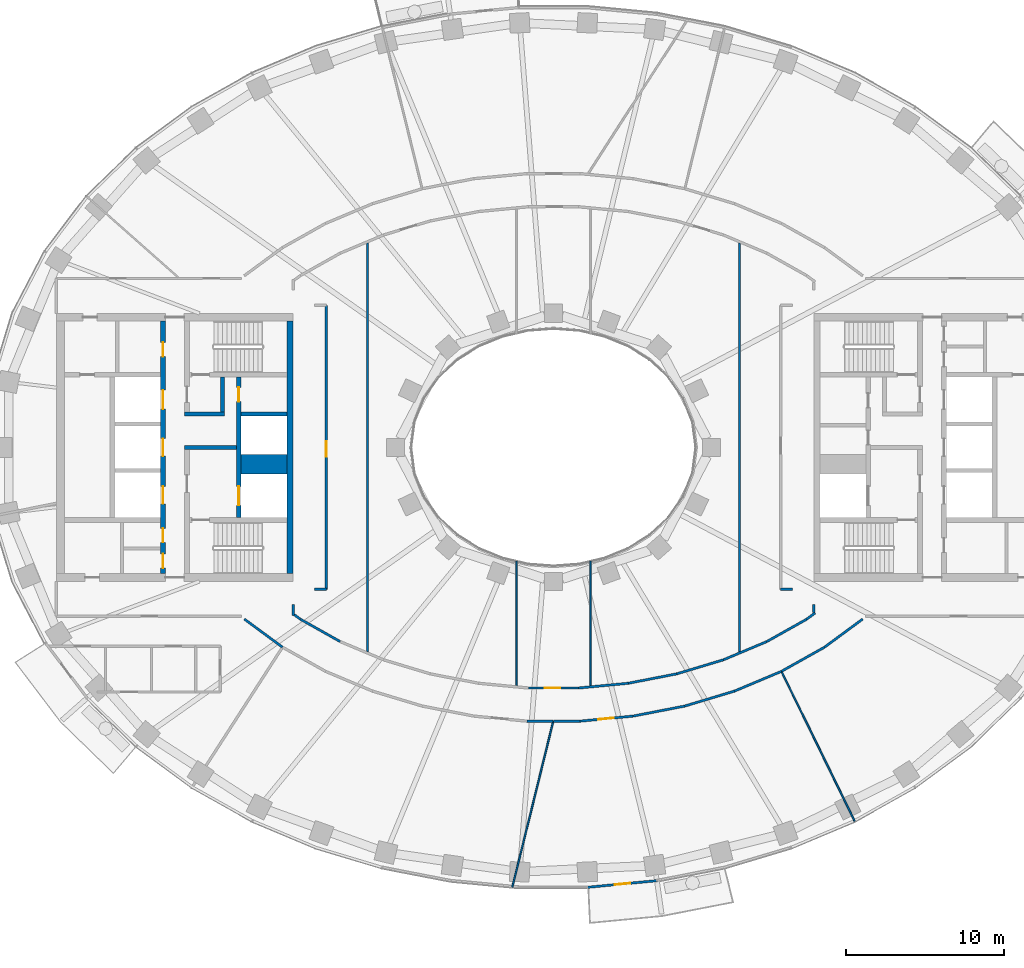
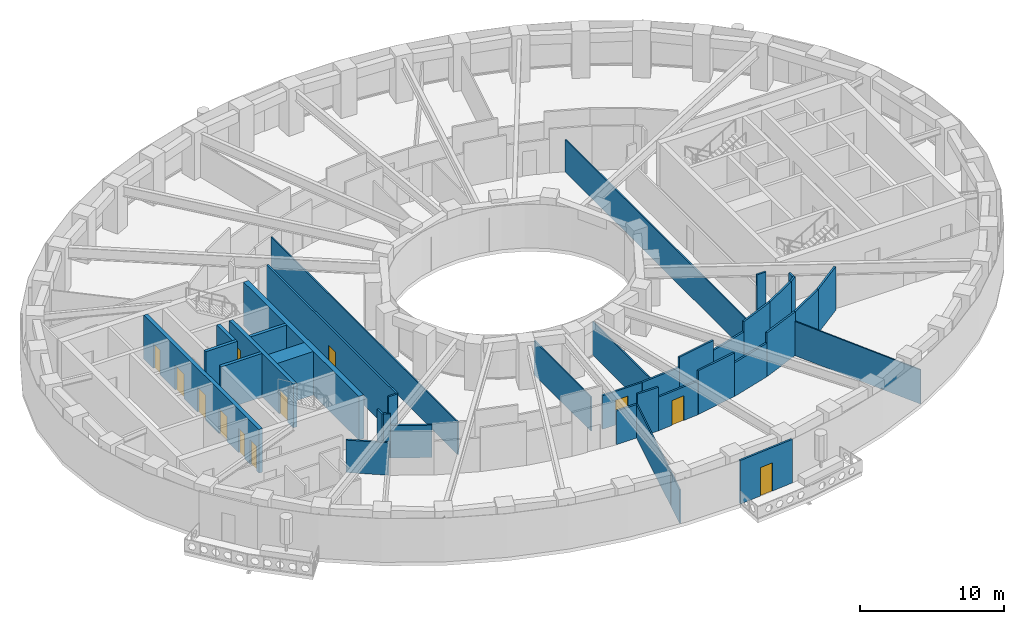
# One storey, part 4 of 16: 39 walls, 12 doors, 12 openings.
"""IFC4 building model written with IfcOpenShell, lengths in metres."""

from ifc_helpers import new_model, si_unit, direction, frame, frame_2d, origin, place, context, subcontext, project, spatial, rectangle, extrude, material, layer, layer_set, type_object, element, fill, save


model = new_model("IFC4")

# Units and contexts
model_context = context("Model", 3, precision=1e-05, world=origin(), true_north=direction((0.0, 1.0)))
body_context = subcontext(model_context, "Body", "Model", "MODEL_VIEW")
ifc_project = project(units=[si_unit("LENGTHUNIT", "METRE"), si_unit("AREAUNIT", "SQUARE_METRE"), si_unit("VOLUMEUNIT", "CUBIC_METRE"), si_unit("PLANEANGLEUNIT", "RADIAN"), si_unit("MASSUNIT", "GRAM", prefix="KILO")], contexts=[model_context])

# Site, building, storey
site_placement = place(None, origin())
site = spatial("IfcSite", under=ifc_project, at=site_placement, CompositionType="ELEMENT")
building_placement = place(site_placement, origin())
building = spatial("IfcBuilding", under=site, at=building_placement, Name="Noorbagh Ring Tower", CompositionType="ELEMENT")
storey_placement = place(building_placement, frame((0.0, 0.0, 132.0)))
storey = spatial("IfcBuildingStorey", under=building, at=storey_placement, Name="L30", CompositionType="ELEMENT", Elevation=132.0)

# Walls
ifc_material_1 = material(Name="Concrete C70/85", Category="concrete")
ifc_layer_1 = layer(ifc_material_1, 1.25)
ifc_layer_set_1 = layer_set([ifc_layer_1], Name="Concrete C70/85")
wall_type_1 = type_object("IfcWallType", Name="CORE-WALL-1250-C70-85-EI120", PredefinedType="SHEAR", material=ifc_layer_set_1)
wall_1_placement = place(storey_placement, frame((-16.89990234375, -1.074951171875, 0.0), z_axis=(0.0, 0.0, 1.0), x_axis=(-1.0, 0.0, 0.0)))
element("IfcWall", 1, at=wall_1_placement, inside=storey, type_object=wall_type_1, Name="Core wall W", PredefinedType="SHEAR", context=body_context, shape_type="SweptSolid", body=[
    extrude(rectangle(XDim=2.900146484375, YDim=1.25, at=frame_2d((1.4501953125, 0.0))), origin(), (0.0, 0.0, 1.0), 3.699951171875),
])
ifc_material_2 = material(Name="Concrete C70/85", Category="concrete")
ifc_layer_2 = layer(ifc_material_2, 0.25)
ifc_layer_set_2 = layer_set([ifc_layer_2], Name="Concrete C70/85")
wall_type_2 = type_object("IfcWallType", Name="CORE-WALL-250-C70-85-EI120", PredefinedType="SHEAR", material=ifc_layer_set_2)
wall_2_placement = place(storey_placement, frame((-16.89990234375, 2.125, 0.0), z_axis=(0.0, 0.0, 1.0), x_axis=(-1.0, 0.0, 0.0)))
element("IfcWall", 2, at=wall_2_placement, inside=storey, type_object=wall_type_2, Name="Core wall W", PredefinedType="SHEAR", context=body_context, shape_type="SweptSolid", body=[
    extrude(rectangle(XDim=2.900146484375, YDim=0.25, at=frame_2d((1.4501953125, 0.0))), origin(), (0.0, 0.0, 1.0), 3.699951171875),
])
ifc_material_3 = material(Name="Concrete C70/85", Category="concrete")
ifc_layer_3 = layer(ifc_material_3, 0.25)
ifc_layer_set_3 = layer_set([ifc_layer_3], Name="Concrete C70/85")
wall_type_3 = type_object("IfcWallType", Name="CORE-WALL-250-C70-85-EI240", PredefinedType="SHEAR", material=ifc_layer_set_3)
wall_3_placement = place(storey_placement, frame((-20.10009765625, 0.0, 0.0), z_axis=(0.0, 0.0, 1.0), x_axis=(-1.0, 0.0, 0.0)))
element("IfcWall", 3, at=wall_3_placement, inside=storey, type_object=wall_type_3, Name="Core wall W", PredefinedType="SHEAR", context=body_context, shape_type="SweptSolid", body=[
    extrude(rectangle(XDim=3.27978515625, YDim=0.25, at=frame_2d((1.639892578125, 0.0))), origin(), (0.0, 0.0, 1.0), 3.699951171875),
])
wall_4_placement = place(storey_placement, frame((-20.85009765625, 2.125, 0.0), z_axis=(0.0, 0.0, 1.0), x_axis=(-1.0, 0.0, 0.0)))
element("IfcWall", 4, at=wall_4_placement, inside=storey, type_object=wall_type_3, Name="Core wall W", PredefinedType="SHEAR", context=body_context, shape_type="SweptSolid", body=[
    extrude(rectangle(XDim=2.52978515625, YDim=0.25, at=frame_2d((1.264892578125, 0.0))), origin(), (0.0, 0.0, 1.0), 3.699951171875),
])
wall_5_placement = place(storey_placement, frame((-20.97509765625, 2.25, 0.0), z_axis=(0.0, 0.0, 1.0), x_axis=(0.0, 1.0, 0.0)))
element("IfcWall", 5, at=wall_5_placement, inside=storey, type_object=wall_type_3, Name="Core wall W", PredefinedType="SHEAR", context=body_context, shape_type="SweptSolid", body=[
    extrude(rectangle(XDim=2.199951171875, YDim=0.25, at=frame_2d((1.10009765625, 0.0))), origin(), (0.0, 0.0, 1.0), 3.699951171875),
])

# Wall, openings, doors
ifc_material_4 = material(Name="Concrete C70/85", Category="concrete")
ifc_layer_4 = layer(ifc_material_4, 0.300048828125)
ifc_layer_set_4 = layer_set([ifc_layer_4], Name="Concrete C70/85")
wall_type_4 = type_object("IfcWallType", Name="CORE-WALL-300-C70-85-EI120", PredefinedType="SHEAR", material=ifc_layer_set_4)
wall_6_placement = place(storey_placement, frame((-19.949951171875, -4.449951171875, 0.0), z_axis=(0.0, 0.0, 1.0), x_axis=(0.0, 1.0, 0.0)))
wall_6 = element("IfcWall", 6, at=wall_6_placement, inside=storey, type_object=wall_type_4, Name="Core wall W", PredefinedType="SHEAR", context=body_context, shape_type="SweptSolid", body=[
    extrude(rectangle(XDim=8.89990234375, YDim=0.300048828125, at=frame_2d((4.449951171875, 0.0))), origin(), (0.0, 0.0, 1.0), 3.699951171875),
])
opening_1_placement = place(wall_6_placement, frame((0.77490234375, 0.0, 0.0)))
opening_1 = element("IfcOpeningElement", 7, at=opening_1_placement, cuts=wall_6, Name="Opening L30-CW01", PredefinedType="OPENING", context=body_context, shape_type="SweptSolid", body=[
    extrude(rectangle(XDim=1.199951171875, YDim=2.10009765625, at=frame_2d((0.60009765625, 1.050048828125))), frame((0.0, 0.16015625, 0.0), z_axis=(0.0, -1.0, 0.0), x_axis=(1.0, 0.0, 0.0)), (0.0, 0.0, 1.0), 0.320068359375),
])
opening_2_placement = place(wall_6_placement, frame((7.35009765625, 0.0, 0.0)))
opening_2 = element("IfcOpeningElement", 8, at=opening_2_placement, cuts=wall_6, Name="Opening L30-CW11", PredefinedType="OPENING", context=body_context, shape_type="SweptSolid", body=[
    extrude(rectangle(XDim=0.89990234375, YDim=2.10009765625, at=frame_2d((0.449951171875, 1.050048828125))), frame((0.0, 0.16015625, 0.0), z_axis=(0.0, -1.0, 0.0), x_axis=(1.0, 0.0, 0.0)), (0.0, 0.0, 1.0), 0.320068359375),
])
ifc_material_5 = material(Name="Steel door leaf", Category="steel")
door_type_1 = type_object("IfcDoorType", Name="CORE-DOOR-DROOM", OperationType="SINGLE_SWING_LEFT", PredefinedType="DOOR", material=ifc_material_5)
door_1_placement = place(opening_2_placement, origin())
door_1 = element("IfcDoor", 9, at=door_1_placement, inside=storey, type_object=door_type_1, Name="Core room door L30-CW11", OperationType="SINGLE_SWING_LEFT", OverallHeight=2.10009765625, OverallWidth=0.89990234375, PredefinedType="DOOR", context=body_context, shape_type="SweptSolid", body=[
    extrude(rectangle(XDim=0.89990234375, YDim=2.10009765625, at=frame_2d((0.449951171875, 1.050048828125))), frame((0.0, 0.02490234375, 0.0), z_axis=(0.0, -1.0, 0.0), x_axis=(1.0, 0.0, 0.0)), (0.0, 0.0, 1.0), 0.050048828125),
])
fill(opening_2, door_1)
ifc_material_6 = material(Name="Steel door leaf", Category="steel")
door_type_2 = type_object("IfcDoorType", Name="CORE-DOOR-LDW", OperationType="DOUBLE_DOOR_SLIDING", PredefinedType="DOOR", material=ifc_material_6)
door_2_placement = place(opening_1_placement, origin())
door_2 = element("IfcDoor", 10, at=door_2_placement, inside=storey, type_object=door_type_2, Name="Landing door FF1 L30-CW01", OperationType="DOUBLE_DOOR_SLIDING", OverallHeight=2.10009765625, OverallWidth=1.199951171875, PredefinedType="DOOR", context=body_context, shape_type="SweptSolid", body=[
    extrude(rectangle(XDim=1.199951171875, YDim=2.10009765625, at=frame_2d((0.60009765625, 1.050048828125))), frame((0.0, 0.02490234375, 0.0), z_axis=(0.0, -1.0, 0.0), x_axis=(1.0, 0.0, 0.0)), (0.0, 0.0, 1.0), 0.050048828125),
])
fill(opening_1, door_2)

wall_7_placement = place(storey_placement, frame((-24.75, -8.0, 0.0), z_axis=(0.0, 0.0, 1.0), x_axis=(0.0, 1.0, 0.0)))
wall_7 = element("IfcWall", 11, at=wall_7_placement, inside=storey, type_object=wall_type_4, Name="Core wall W", PredefinedType="SHEAR", context=body_context, shape_type="SweptSolid", body=[
    extrude(rectangle(XDim=16.0, YDim=0.300048828125, at=frame_2d((8.0, 0.0))), origin(), (0.0, 0.0, 1.0), 3.699951171875),
])
opening_3_placement = place(wall_7_placement, frame((4.425048828125, 0.0, 0.0)))
opening_3 = element("IfcOpeningElement", 12, at=opening_3_placement, cuts=wall_7, Name="Opening L30-CW02", PredefinedType="OPENING", context=body_context, shape_type="SweptSolid", body=[
    extrude(rectangle(XDim=1.10009765625, YDim=2.10009765625, at=frame_2d((0.550048828125, 1.050048828125))), frame((0.0, 0.16015625, 0.0), z_axis=(0.0, -1.0, 0.0), x_axis=(1.0, 0.0, 0.0)), (0.0, 0.0, 1.0), 0.320068359375),
])
opening_4_placement = place(wall_7_placement, frame((7.449951171875, 0.0, 0.0)))
opening_4 = element("IfcOpeningElement", 13, at=opening_4_placement, cuts=wall_7, Name="Opening L30-CW03", PredefinedType="OPENING", context=body_context, shape_type="SweptSolid", body=[
    extrude(rectangle(XDim=1.10009765625, YDim=2.10009765625, at=frame_2d((0.550048828125, 1.050048828125))), frame((0.0, 0.16015625, 0.0), z_axis=(0.0, -1.0, 0.0), x_axis=(1.0, 0.0, 0.0)), (0.0, 0.0, 1.0), 0.320068359375),
])
opening_5_placement = place(wall_7_placement, frame((10.425048828125, 0.0, 0.0)))
opening_5 = element("IfcOpeningElement", 14, at=opening_5_placement, cuts=wall_7, Name="Opening L30-CW04", PredefinedType="OPENING", context=body_context, shape_type="SweptSolid", body=[
    extrude(rectangle(XDim=1.199951171875, YDim=2.10009765625, at=frame_2d((0.60009765625, 1.050048828125))), frame((0.0, 0.16015625, 0.0), z_axis=(0.0, -1.0, 0.0), x_axis=(1.0, 0.0, 0.0)), (0.0, 0.0, 1.0), 0.320068359375),
])
opening_6_placement = place(wall_7_placement, frame((13.75, 0.0, 0.0)))
opening_6 = element("IfcOpeningElement", 15, at=opening_6_placement, cuts=wall_7, Name="Opening L30-CW12", PredefinedType="OPENING", context=body_context, shape_type="SweptSolid", body=[
    extrude(rectangle(XDim=0.89990234375, YDim=2.10009765625, at=frame_2d((0.449951171875, 1.050048828125))), frame((0.0, 0.16015625, 0.0), z_axis=(0.0, -1.0, 0.0), x_axis=(1.0, 0.0, 0.0)), (0.0, 0.0, 1.0), 0.320068359375),
])
opening_7_placement = place(wall_7_placement, frame((1.97509765625, 0.0, 0.0)))
opening_7 = element("IfcOpeningElement", 16, at=opening_7_placement, cuts=wall_7, Name="Opening L30-CW14", PredefinedType="OPENING", context=body_context, shape_type="SweptSolid", body=[
    extrude(rectangle(XDim=0.89990234375, YDim=2.10009765625, at=frame_2d((0.449951171875, 1.050048828125))), frame((0.0, 0.16015625, 0.0), z_axis=(0.0, -1.0, 0.0), x_axis=(1.0, 0.0, 0.0)), (0.0, 0.0, 1.0), 0.320068359375),
])
opening_8_placement = place(wall_7_placement, frame((0.35009765625, 0.0, 0.0)))
opening_8 = element("IfcOpeningElement", 17, at=opening_8_placement, cuts=wall_7, Name="Opening L30-CW15", PredefinedType="OPENING", context=body_context, shape_type="SweptSolid", body=[
    extrude(rectangle(XDim=0.89990234375, YDim=2.10009765625, at=frame_2d((0.449951171875, 1.050048828125))), frame((0.0, 0.16015625, 0.0), z_axis=(0.0, -1.0, 0.0), x_axis=(1.0, 0.0, 0.0)), (0.0, 0.0, 1.0), 0.320068359375),
])
door_3_placement = place(opening_6_placement, origin())
door_3 = element("IfcDoor", 18, at=door_3_placement, inside=storey, type_object=door_type_1, Name="Core room door L30-CW12", OperationType="SINGLE_SWING_RIGHT", OverallHeight=2.10009765625, OverallWidth=0.89990234375, PredefinedType="DOOR", context=body_context, shape_type="SweptSolid", body=[
    extrude(rectangle(XDim=0.89990234375, YDim=2.10009765625, at=frame_2d((0.449951171875, 1.050048828125))), frame((0.0, 0.02490234375, 0.0), z_axis=(0.0, -1.0, 0.0), x_axis=(1.0, 0.0, 0.0)), (0.0, 0.0, 1.0), 0.050048828125),
])
fill(opening_6, door_3)
door_4_placement = place(opening_7_placement, origin())
door_4 = element("IfcDoor", 19, at=door_4_placement, inside=storey, type_object=door_type_1, Name="Core room door L30-CW14", OperationType="SINGLE_SWING_RIGHT", OverallHeight=2.10009765625, OverallWidth=0.89990234375, PredefinedType="DOOR", context=body_context, shape_type="SweptSolid", body=[
    extrude(rectangle(XDim=0.89990234375, YDim=2.10009765625, at=frame_2d((0.449951171875, 1.050048828125))), frame((0.0, 0.02490234375, 0.0), z_axis=(0.0, -1.0, 0.0), x_axis=(1.0, 0.0, 0.0)), (0.0, 0.0, 1.0), 0.050048828125),
])
fill(opening_7, door_4)
door_5_placement = place(opening_8_placement, origin())
door_5 = element("IfcDoor", 20, at=door_5_placement, inside=storey, type_object=door_type_1, Name="Core room door L30-CW15", OperationType="SINGLE_SWING_LEFT", OverallHeight=2.10009765625, OverallWidth=0.89990234375, PredefinedType="DOOR", context=body_context, shape_type="SweptSolid", body=[
    extrude(rectangle(XDim=0.89990234375, YDim=2.10009765625, at=frame_2d((0.449951171875, 1.050048828125))), frame((0.0, 0.02490234375, 0.0), z_axis=(0.0, -1.0, 0.0), x_axis=(1.0, 0.0, 0.0)), (0.0, 0.0, 1.0), 0.050048828125),
])
fill(opening_8, door_5)
ifc_material_7 = material(Name="Steel door leaf", Category="steel")
door_type_3 = type_object("IfcDoorType", Name="CORE-DOOR-LD", OperationType="DOUBLE_DOOR_SLIDING", PredefinedType="DOOR", material=ifc_material_7)
door_6_placement = place(opening_3_placement, origin())
door_6 = element("IfcDoor", 21, at=door_6_placement, inside=storey, type_object=door_type_3, Name="Landing door LR1 L30-CW02", OperationType="DOUBLE_DOOR_SLIDING", OverallHeight=2.10009765625, OverallWidth=1.10009765625, PredefinedType="DOOR", context=body_context, shape_type="SweptSolid", body=[
    extrude(rectangle(XDim=1.10009765625, YDim=2.10009765625, at=frame_2d((0.550048828125, 1.050048828125))), frame((0.0, 0.02490234375, 0.0), z_axis=(0.0, -1.0, 0.0), x_axis=(1.0, 0.0, 0.0)), (0.0, 0.0, 1.0), 0.050048828125),
])
fill(opening_3, door_6)
door_7_placement = place(opening_4_placement, origin())
door_7 = element("IfcDoor", 22, at=door_7_placement, inside=storey, type_object=door_type_3, Name="Landing door LR2 L30-CW03", OperationType="DOUBLE_DOOR_SLIDING", OverallHeight=2.10009765625, OverallWidth=1.10009765625, PredefinedType="DOOR", context=body_context, shape_type="SweptSolid", body=[
    extrude(rectangle(XDim=1.10009765625, YDim=2.10009765625, at=frame_2d((0.550048828125, 1.050048828125))), frame((0.0, 0.02490234375, 0.0), z_axis=(0.0, -1.0, 0.0), x_axis=(1.0, 0.0, 0.0)), (0.0, 0.0, 1.0), 0.050048828125),
])
fill(opening_4, door_7)
door_8_placement = place(opening_5_placement, origin())
door_8 = element("IfcDoor", 23, at=door_8_placement, inside=storey, type_object=door_type_2, Name="Landing door SV1 L30-CW04", OperationType="DOUBLE_DOOR_SLIDING", OverallHeight=2.10009765625, OverallWidth=1.199951171875, PredefinedType="DOOR", context=body_context, shape_type="SweptSolid", body=[
    extrude(rectangle(XDim=1.199951171875, YDim=2.10009765625, at=frame_2d((0.60009765625, 1.050048828125))), frame((0.0, 0.02490234375, 0.0), z_axis=(0.0, -1.0, 0.0), x_axis=(1.0, 0.0, 0.0)), (0.0, 0.0, 1.0), 0.050048828125),
])
fill(opening_5, door_8)

# Walls
ifc_material_8 = material(Name="Concrete C70/85", Category="concrete")
ifc_layer_5 = layer(ifc_material_8, 0.39990234375)
ifc_layer_set_5 = layer_set([ifc_layer_5], Name="Concrete C70/85")
wall_type_5 = type_object("IfcWallType", Name="CORE-WALL-400-C70-85-EI240", PredefinedType="SHEAR", material=ifc_layer_set_5)
wall_8_placement = place(storey_placement, frame((-16.699951171875, -8.0, 0.0), z_axis=(0.0, 0.0, 1.0), x_axis=(0.0, 1.0, 0.0)))
element("IfcWall", 24, at=wall_8_placement, inside=storey, type_object=wall_type_5, Name="Core wall W", PredefinedType="SHEAR", context=body_context, shape_type="SweptSolid", body=[
    extrude(rectangle(XDim=16.0, YDim=0.39990234375, at=frame_2d((8.0, 0.0))), origin(), (0.0, 0.0, 1.0), 3.699951171875),
])
ifc_material_9 = material(Name="Gypsum board on steel studs", Category="steel")
ifc_layer_6 = layer(ifc_material_9, 0.14990234375)
ifc_layer_set_6 = layer_set([ifc_layer_6], Name="Gypsum board on steel studs")
wall_type_6 = type_object("IfcWallType", Name="CORRIDOR PARTITION 150 EI 30", PredefinedType="PARTITIONING", material=ifc_layer_set_6)
wall_9_placement = place(storey_placement, frame((-19.594970703125, -10.876953125, 0.0), z_axis=(0.0, 0.0, 1.0), x_axis=(0.805151708762, -0.593068904831, 0.0)))
element("IfcWall", 25, at=wall_9_placement, inside=storey, type_object=wall_type_6, Name="L30/wall/P16", PredefinedType="PARTITIONING", context=body_context, shape_type="SweptSolid", body=[
    extrude(rectangle(XDim=3.008056640625, YDim=0.14990234375, at=frame_2d((1.50390625, 0.0))), origin(), (0.0, 0.0, 1.0), 2.75),
])
wall_10_placement = place(storey_placement, frame((-16.5, -10.64208984375, 0.0), z_axis=(0.0, 0.0, 1.0), x_axis=(0.0, 1.0, 0.0)))
element("IfcWall", 26, at=wall_10_placement, inside=storey, type_object=wall_type_6, Name="L30/wall/P20", PredefinedType="PARTITIONING", context=body_context, shape_type="SweptSolid", body=[
    extrude(rectangle(XDim=0.677978515625, YDim=0.14990234375, at=frame_2d((0.3388671875, 0.0))), origin(), (0.0, 0.0, 1.0), 3.699951171875),
])
wall_11_placement = place(storey_placement, frame((-16.425048828125, -10.60400390625, 0.0), z_axis=(0.0, 0.0, 1.0), x_axis=(0.805608867586, -0.592447763492, 0.0)))
element("IfcWall", 27, at=wall_11_placement, inside=storey, type_object=wall_type_6, Name="L30/wall/P21", PredefinedType="PARTITIONING", context=body_context, shape_type="SweptSolid", body=[
    extrude(rectangle(XDim=0.48779296875, YDim=0.14990234375, at=frame_2d((0.243896484375, 0.0))), origin(), (0.0, 0.0, 1.0), 3.699951171875),
])
wall_12_placement = place(storey_placement, frame((-16.031982421875, -10.89306640625, 0.0), z_axis=(0.0, 0.0, 1.0), x_axis=(0.871948863789, -0.489596955604, 0.0)))
element("IfcWall", 28, at=wall_12_placement, inside=storey, type_object=wall_type_6, Name="L30/wall/P24", PredefinedType="PARTITIONING", context=body_context, shape_type="SweptSolid", body=[
    extrude(rectangle(XDim=2.879638671875, YDim=0.14990234375, at=frame_2d((1.43994140625, 0.0))), origin(), (0.0, 0.0, 1.0), 2.75),
])
wall_13_placement = place(storey_placement, frame((-15.134033203125, -9.0, 0.0), z_axis=(0.0, 0.0, 1.0), x_axis=(1.0, 0.0, 0.0)))
element("IfcWall", 29, at=wall_13_placement, inside=storey, type_object=wall_type_6, Name="L30/wall/P26", PredefinedType="PARTITIONING", context=body_context, shape_type="SweptSolid", body=[
    extrude(rectangle(XDim=0.734130859375, YDim=0.14990234375, at=frame_2d((0.3671875, 0.0))), origin(), (0.0, 0.0, 1.0), 3.699951171875),
])

# Wall, opening, door
wall_14_placement = place(storey_placement, frame((-14.39990234375, -9.0, 0.0), z_axis=(0.0, 0.0, 1.0), x_axis=(0.0, 1.0, 0.0)))
wall_14 = element("IfcWall", 30, at=wall_14_placement, inside=storey, type_object=wall_type_6, Name="L30/wall/P30", PredefinedType="PARTITIONING", context=body_context, shape_type="SweptSolid", body=[
    extrude(rectangle(XDim=18.0, YDim=0.14990234375, at=frame_2d((9.0, 0.0))), origin(), (0.0, 0.0, 1.0), 3.699951171875),
])
opening_9_placement = place(wall_14_placement, frame((8.39990234375, 0.0, 0.0)))
opening_9 = element("IfcOpeningElement", 31, at=opening_9_placement, cuts=wall_14, Name="Opening D1", PredefinedType="OPENING", context=body_context, shape_type="SweptSolid", body=[
    extrude(rectangle(XDim=1.0, YDim=2.10009765625, at=frame_2d((0.5, 1.050048828125))), frame((0.0, 0.0849609375, 0.0), z_axis=(0.0, -1.0, 0.0), x_axis=(1.0, 0.0, 0.0)), (0.0, 0.0, 1.0), 0.169921875),
])
ifc_material_10 = material(Name="Timber, painted", Category="wood")
door_type_4 = type_object("IfcDoorType", Name="DOOR 1000 X 2100 FD30", OperationType="SINGLE_SWING_LEFT", PredefinedType="DOOR", material=ifc_material_10)
door_9_placement = place(opening_9_placement, origin())
door_9 = element("IfcDoor", 32, at=door_9_placement, inside=storey, type_object=door_type_4, Name="L30-D14", OperationType="SINGLE_SWING_RIGHT", OverallHeight=2.10009765625, OverallWidth=1.0, PredefinedType="DOOR", context=body_context, shape_type="SweptSolid", body=[
    extrude(rectangle(XDim=1.0, YDim=2.10009765625, at=frame_2d((0.5, 1.050048828125))), frame((0.0, 0.02490234375, 0.0), z_axis=(0.0, -1.0, 0.0), x_axis=(1.0, 0.0, 0.0)), (0.0, 0.0, 1.0), 0.050048828125),
])
fill(opening_9, door_9)

# Wall
wall_15_placement = place(storey_placement, frame((-1.68798828125, -17.347900390625, 0.0), z_axis=(0.0, 0.0, 1.0), x_axis=(1.0, 0.0, 0.0)))
element("IfcWall", 33, at=wall_15_placement, inside=storey, type_object=wall_type_6, Name="L30/wall/P51", PredefinedType="PARTITIONING", context=body_context, shape_type="SweptSolid", body=[
    extrude(rectangle(XDim=1.657958984375, YDim=0.14990234375, at=frame_2d((0.8291015625, 0.0))), origin(), (0.0, 0.0, 1.0), 2.85009765625),
])

# Wall, opening, door
wall_16_placement = place(storey_placement, frame((-1.589111328125, -15.248046875, 0.0), z_axis=(0.0, 0.0, 1.0), x_axis=(1.0, 0.0, 0.0)))
wall_16 = element("IfcWall", 34, at=wall_16_placement, inside=storey, type_object=wall_type_6, Name="L30/wall/P53", PredefinedType="PARTITIONING", context=body_context, shape_type="SweptSolid", body=[
    extrude(rectangle(XDim=3.17822265625, YDim=0.14990234375, at=frame_2d((1.589111328125, 0.0))), origin(), (0.0, 0.0, 1.0), 2.85009765625),
])
opening_10_placement = place(wall_16_placement, frame((1.028076171875, 0.0, 0.0)))
opening_10 = element("IfcOpeningElement", 35, at=opening_10_placement, cuts=wall_16, Name="Opening D1", PredefinedType="OPENING", context=body_context, shape_type="SweptSolid", body=[
    extrude(rectangle(XDim=1.0, YDim=2.10009765625, at=frame_2d((0.5, 1.050048828125))), frame((0.0, 0.0849609375, 0.0), z_axis=(0.0, -1.0, 0.0), x_axis=(1.0, 0.0, 0.0)), (0.0, 0.0, 1.0), 0.169921875),
])
door_10_placement = place(opening_10_placement, origin())
door_10 = element("IfcDoor", 36, at=door_10_placement, inside=storey, type_object=door_type_4, Name="L30-D16", OperationType="SINGLE_SWING_RIGHT", OverallHeight=2.10009765625, OverallWidth=1.0, PredefinedType="DOOR", context=body_context, shape_type="SweptSolid", body=[
    extrude(rectangle(XDim=1.0, YDim=2.10009765625, at=frame_2d((0.5, 1.050048828125))), frame((0.0, 0.02490234375, 0.0), z_axis=(0.0, -1.0, 0.0), x_axis=(1.0, 0.0, 0.0)), (0.0, 0.0, 1.0), 0.050048828125),
])
fill(opening_10, door_10)

# Walls
wall_17_placement = place(storey_placement, frame((-0.012939453125, -17.347900390625, 0.0), z_axis=(0.0, 0.0, 1.0), x_axis=(1.0, 0.0, 0.0)))
element("IfcWall", 37, at=wall_17_placement, inside=storey, type_object=wall_type_6, Name="L30/wall/P55", PredefinedType="PARTITIONING", context=body_context, shape_type="SweptSolid", body=[
    extrude(rectangle(XDim=1.700927734375, YDim=0.14990234375, at=frame_2d((0.8505859375, 0.0))), origin(), (0.0, 0.0, 1.0), 3.699951171875),
])
wall_18_placement = place(storey_placement, frame((1.589111328125, -15.248046875, 0.0), z_axis=(0.0, 0.0, 1.0), x_axis=(0.995467349369, 0.095103923894, 0.0)))
element("IfcWall", 38, at=wall_18_placement, inside=storey, type_object=wall_type_6, Name="L30/wall/P56", PredefinedType="PARTITIONING", context=body_context, shape_type="SweptSolid", body=[
    extrude(rectangle(XDim=3.165283203125, YDim=0.14990234375, at=frame_2d((1.58251953125, 0.0))), origin(), (0.0, 0.0, 1.0), 2.85009765625),
])

# Wall, opening, door
wall_19_placement = place(storey_placement, frame((1.68798828125, -17.347900390625, 0.0), z_axis=(0.0, 0.0, 1.0), x_axis=(0.99548178004, 0.094952754613, 0.0)))
wall_19 = element("IfcWall", 39, at=wall_19_placement, inside=storey, type_object=wall_type_6, Name="L30/wall/P58", PredefinedType="PARTITIONING", context=body_context, shape_type="SweptSolid", body=[
    extrude(rectangle(XDim=3.3681640625, YDim=0.14990234375, at=frame_2d((1.68408203125, 0.0))), origin(), (0.0, 0.0, 1.0), 2.85009765625),
])
opening_11_placement = place(wall_19_placement, frame((1.14990234375, 0.0, 0.0)))
opening_11 = element("IfcOpeningElement", 40, at=opening_11_placement, cuts=wall_19, Name="Opening D1", PredefinedType="OPENING", context=body_context, shape_type="SweptSolid", body=[
    extrude(rectangle(XDim=1.0, YDim=2.10009765625, at=frame_2d((0.5, 1.050048828125))), frame((0.0, 0.0849609375, 0.0), z_axis=(0.0, -1.0, 0.0), x_axis=(1.0, 0.0, 0.0)), (0.0, 0.0, 1.0), 0.169921875),
])
door_11_placement = place(opening_11_placement, origin())
door_11 = element("IfcDoor", 41, at=door_11_placement, inside=storey, type_object=door_type_4, Name="L30-D10", OperationType="SINGLE_SWING_RIGHT", OverallHeight=2.10009765625, OverallWidth=1.0, PredefinedType="DOOR", context=body_context, shape_type="SweptSolid", body=[
    extrude(rectangle(XDim=1.0, YDim=2.10009765625, at=frame_2d((0.5, 1.050048828125))), frame((0.0, 0.02490234375, 0.0), z_axis=(0.0, -1.0, 0.0), x_axis=(1.0, 0.0, 0.0)), (0.0, 0.0, 1.0), 0.050048828125),
])
fill(opening_11, door_11)

# Walls
wall_20_placement = place(storey_placement, frame((4.739990234375, -14.947021484375, 0.0), z_axis=(0.0, 0.0, 1.0), x_axis=(0.981627147181, 0.190809181955, 0.0)))
element("IfcWall", 42, at=wall_20_placement, inside=storey, type_object=wall_type_6, Name="L30/wall/P63", PredefinedType="PARTITIONING", context=body_context, shape_type="SweptSolid", body=[
    extrude(rectangle(XDim=3.133544921875, YDim=0.14990234375, at=frame_2d((1.56689453125, 0.0))), origin(), (0.0, 0.0, 1.0), 3.699951171875),
])
wall_21_placement = place(storey_placement, frame((5.041015625, -17.028076171875, 0.0), z_axis=(0.0, 0.0, 1.0), x_axis=(0.981650748697, 0.190687722683, 0.0)))
element("IfcWall", 43, at=wall_21_placement, inside=storey, type_object=wall_type_6, Name="L30/wall/P65", PredefinedType="PARTITIONING", context=body_context, shape_type="SweptSolid", body=[
    extrude(rectangle(XDim=3.34033203125, YDim=0.14990234375, at=frame_2d((1.670166015625, 0.0))), origin(), (0.0, 0.0, 1.0), 3.699951171875),
])
wall_22_placement = place(storey_placement, frame((7.81591796875, -14.34912109375, 0.0), z_axis=(0.0, 0.0, 1.0), x_axis=(0.957609782402, 0.288068576292, 0.0)))
element("IfcWall", 44, at=wall_22_placement, inside=storey, type_object=wall_type_6, Name="L30/wall/P67", PredefinedType="PARTITIONING", context=body_context, shape_type="SweptSolid", body=[
    extrude(rectangle(XDim=3.076416015625, YDim=0.14990234375, at=frame_2d((1.5380859375, 0.0))), origin(), (0.0, 0.0, 1.0), 2.85009765625),
])
wall_23_placement = place(storey_placement, frame((8.320068359375, -16.39111328125, 0.0), z_axis=(0.0, 0.0, 1.0), x_axis=(0.957544199748, 0.288286499041, 0.0)))
element("IfcWall", 45, at=wall_23_placement, inside=storey, type_object=wall_type_6, Name="L30/wall/P69", PredefinedType="PARTITIONING", context=body_context, shape_type="SweptSolid", body=[
    extrude(rectangle(XDim=3.292724609375, YDim=0.14990234375, at=frame_2d((1.646484375, 0.0))), origin(), (0.0, 0.0, 1.0), 2.85009765625),
])
wall_24_placement = place(storey_placement, frame((10.761962890625, -13.462890625, 0.0), z_axis=(0.0, 0.0, 1.0), x_axis=(0.921848667289, 0.387550041438, 0.0)))
element("IfcWall", 46, at=wall_24_placement, inside=storey, type_object=wall_type_6, Name="L30/wall/P72", PredefinedType="PARTITIONING", context=body_context, shape_type="SweptSolid", body=[
    extrude(rectangle(XDim=2.992919921875, YDim=0.14990234375, at=frame_2d((1.49658203125, 0.0))), origin(), (0.0, 0.0, 1.0), 3.699951171875),
])
wall_25_placement = place(storey_placement, frame((11.472900390625, -15.44189453125, 0.0), z_axis=(0.0, 0.0, 1.0), x_axis=(0.921794929211, 0.387677841101, 0.0)))
element("IfcWall", 47, at=wall_25_placement, inside=storey, type_object=wall_type_6, Name="L30/wall/P74", PredefinedType="PARTITIONING", context=body_context, shape_type="SweptSolid", body=[
    extrude(rectangle(XDim=3.224365234375, YDim=0.14990234375, at=frame_2d((1.6123046875, 0.0))), origin(), (0.0, 0.0, 1.0), 3.699951171875),
])
wall_26_placement = place(storey_placement, frame((13.52099609375, -12.302978515625, 0.0), z_axis=(0.0, 0.0, 1.0), x_axis=(0.871948863789, 0.489596955604, 0.0)))
element("IfcWall", 48, at=wall_26_placement, inside=storey, type_object=wall_type_6, Name="L30/wall/P77", PredefinedType="PARTITIONING", context=body_context, shape_type="SweptSolid", body=[
    extrude(rectangle(XDim=2.879638671875, YDim=0.14990234375, at=frame_2d((1.43994140625, 0.0))), origin(), (0.0, 0.0, 1.0), 3.699951171875),
])
wall_27_placement = place(storey_placement, frame((14.39990234375, -9.0, 0.0), z_axis=(0.0, 0.0, 1.0), x_axis=(1.0, 0.0, 0.0)))
element("IfcWall", 49, at=wall_27_placement, inside=storey, type_object=wall_type_6, Name="L30/wall/P80", PredefinedType="PARTITIONING", context=body_context, shape_type="SweptSolid", body=[
    extrude(rectangle(XDim=0.734130859375, YDim=0.14990234375, at=frame_2d((0.3671875, 0.0))), origin(), (0.0, 0.0, 1.0), 3.699951171875),
])
wall_28_placement = place(storey_placement, frame((14.4619140625, -14.181884765625, 0.0), z_axis=(0.0, 0.0, 1.0), x_axis=(0.872130780857, 0.489272828882, 0.0)))
element("IfcWall", 50, at=wall_28_placement, inside=storey, type_object=wall_type_6, Name="L30/wall/P84", PredefinedType="PARTITIONING", context=body_context, shape_type="SweptSolid", body=[
    extrude(rectangle(XDim=3.108642578125, YDim=0.14990234375, at=frame_2d((1.55419921875, 0.0))), origin(), (0.0, 0.0, 1.0), 3.699951171875),
])
wall_29_placement = place(storey_placement, frame((16.031982421875, -10.89306640625, 0.0), z_axis=(0.0, 0.0, 1.0), x_axis=(0.805701862575, 0.592321288359, 0.0)))
element("IfcWall", 51, at=wall_29_placement, inside=storey, type_object=wall_type_6, Name="L30/wall/P85", PredefinedType="PARTITIONING", context=body_context, shape_type="SweptSolid", body=[
    extrude(rectangle(XDim=0.673828125, YDim=0.14990234375, at=frame_2d((0.3369140625, 0.0))), origin(), (0.0, 0.0, 1.0), 3.699951171875),
])
wall_30_placement = place(storey_placement, frame((16.5, -10.4560546875, 0.0), z_axis=(0.0, 0.0, 1.0), x_axis=(0.0, 1.0, 0.0)))
element("IfcWall", 52, at=wall_30_placement, inside=storey, type_object=wall_type_6, Name="L30/wall/P87", PredefinedType="PARTITIONING", context=body_context, shape_type="SweptSolid", body=[
    extrude(rectangle(XDim=0.491943359375, YDim=0.14990234375, at=frame_2d((0.24609375, 0.0))), origin(), (0.0, 0.0, 1.0), 3.699951171875),
])
wall_31_placement = place(storey_placement, frame((17.173095703125, -12.660888671875, 0.0), z_axis=(0.0, 0.0, 1.0), x_axis=(0.805151708762, 0.593068904831, 0.0)))
element("IfcWall", 53, at=wall_31_placement, inside=storey, type_object=wall_type_6, Name="L30/wall/P89", PredefinedType="PARTITIONING", context=body_context, shape_type="SweptSolid", body=[
    extrude(rectangle(XDim=3.008056640625, YDim=0.14990234375, at=frame_2d((1.50390625, 0.0))), origin(), (0.0, 0.0, 1.0), 3.699951171875),
])

# Wall, opening, door
ifc_material_11 = material(Name="Insulated aluminium clad panel", Category="aluminium")
ifc_layer_7 = layer(ifc_material_11, 0.14990234375)
ifc_layer_set_7 = layer_set([ifc_layer_7], Name="Insulated aluminium clad panel")
wall_type_7 = type_object("IfcWallType", Name="ENV-WALL-DOOR", PredefinedType="STANDARD", material=ifc_layer_set_7)
wall_32_placement = place(storey_placement, frame((2.166259765625, -27.875244140625, 0.0), z_axis=(0.0, 0.0, 1.0), x_axis=(0.995473879823, 0.095035543824, 0.0)))
wall_32 = element("IfcWall", 54, at=wall_32_placement, inside=storey, type_object=wall_type_7, Name="Balcony door wall chord 36", PredefinedType="STANDARD", context=body_context, shape_type="SweptSolid", body=[
    extrude(rectangle(XDim=4.42626953125, YDim=0.14990234375, at=frame_2d((2.213134765625, 0.0))), origin(), (0.0, 0.0, 1.0), 3.699951171875),
])
opening_12_placement = place(wall_32_placement, frame((1.713134765625, 0.0, 0.0)))
opening_12 = element("IfcOpeningElement", 55, at=opening_12_placement, cuts=wall_32, Name="Opening D-BL", PredefinedType="OPENING", context=body_context, shape_type="SweptSolid", body=[
    extrude(rectangle(XDim=1.0, YDim=2.39990234375, at=frame_2d((0.5, 1.199951171875))), frame((0.0, 0.0849609375, 0.0), z_axis=(0.0, -1.0, 0.0), x_axis=(1.0, 0.0, 0.0)), (0.0, 0.0, 1.0), 0.169921875),
])
ifc_material_12 = material(Name="Aluminium and glass", Category="aluminium")
door_type_5 = type_object("IfcDoorType", Name="ENV-DOOR-BALCONY", OperationType="SINGLE_SWING_LEFT", PredefinedType="DOOR", material=ifc_material_12)
door_12_placement = place(opening_12_placement, origin())
door_12 = element("IfcDoor", 56, at=door_12_placement, inside=storey, type_object=door_type_5, Name="Balcony door chord 36", OperationType="SINGLE_SWING_LEFT", OverallHeight=2.39990234375, OverallWidth=1.0, PredefinedType="DOOR", context=body_context, shape_type="SweptSolid", body=[
    extrude(rectangle(XDim=1.0, YDim=2.39990234375, at=frame_2d((0.5, 1.199951171875))), frame((0.0, 0.02490234375, 0.0), z_axis=(0.0, -1.0, 0.0), x_axis=(1.0, 0.0, 0.0)), (0.0, 0.0, 1.0), 0.050048828125),
])
fill(opening_12, door_12)

# Walls
ifc_material_13 = material(Name="Gypsum board on steel studs", Category="steel")
ifc_layer_8 = layer(ifc_material_13, 0.10009765625)
ifc_layer_set_8 = layer_set([ifc_layer_8], Name="Gypsum board on steel studs")
wall_type_8 = type_object("IfcWallType", Name="PARTITION 100 GYPSUM", PredefinedType="PARTITIONING", material=ifc_layer_set_8)
wall_33_placement = place(storey_placement, frame((-11.785888671875, -12.947021484375, 0.0), z_axis=(0.0, 0.0, 1.0), x_axis=(0.0, 1.0, 0.0)))
element("IfcWall", 57, at=wall_33_placement, inside=storey, type_object=wall_type_8, Name="L30/wall/P33", PredefinedType="PARTITIONING", context=body_context, shape_type="SweptSolid", body=[
    extrude(rectangle(XDim=25.89404296875, YDim=0.10009765625, at=frame_2d((12.947021484375, 0.0))), origin(), (0.0, 0.0, 1.0), 2.75),
])
wall_34_placement = place(storey_placement, frame((-2.60888671875, -27.85791015625, 0.0), z_axis=(0.0, 0.0, 1.0), x_axis=(0.239863692272, 0.970806576579, 0.0)))
element("IfcWall", 58, at=wall_34_placement, inside=storey, type_object=wall_type_8, Name="L30/wall/P47", PredefinedType="PARTITIONING", context=body_context, shape_type="SweptSolid", body=[
    extrude(rectangle(XDim=2.150634765625, YDim=0.10009765625, at=frame_2d((1.0751953125, 0.0))), origin(), (0.0, 0.0, 1.0), 2.85009765625),
])
wall_35_placement = place(storey_placement, frame((-2.35693359375, -15.095947265625, 0.0), z_axis=(0.0, 0.0, 1.0), x_axis=(0.0, 1.0, 0.0)))
element("IfcWall", 59, at=wall_35_placement, inside=storey, type_object=wall_type_8, Name="L30/wall/P48", PredefinedType="PARTITIONING", context=body_context, shape_type="SweptSolid", body=[
    extrude(rectangle(XDim=7.885986328125, YDim=0.10009765625, at=frame_2d((3.94287109375, 0.0))), origin(), (0.0, 0.0, 1.0), 2.89990234375),
])
wall_36_placement = place(storey_placement, frame((-2.087890625, -25.7490234375, 0.0), z_axis=(0.0, 0.0, 1.0), x_axis=(0.239779759728, 0.970827310506, 0.0)))
element("IfcWall", 60, at=wall_36_placement, inside=storey, type_object=wall_type_8, Name="L30/wall/P50", PredefinedType="PARTITIONING", context=body_context, shape_type="SweptSolid", body=[
    extrude(rectangle(XDim=8.653564453125, YDim=0.10009765625, at=frame_2d((4.32666015625, 0.0))), origin(), (0.0, 0.0, 1.0), 2.85009765625),
])
wall_37_placement = place(storey_placement, frame((2.35693359375, -15.095947265625, 0.0), z_axis=(0.0, 0.0, 1.0), x_axis=(0.0, 1.0, 0.0)))
element("IfcWall", 61, at=wall_37_placement, inside=storey, type_object=wall_type_8, Name="L30/wall/P61", PredefinedType="PARTITIONING", context=body_context, shape_type="SweptSolid", body=[
    extrude(rectangle(XDim=7.885986328125, YDim=0.10009765625, at=frame_2d((3.94287109375, 0.0))), origin(), (0.0, 0.0, 1.0), 2.85009765625),
])
wall_38_placement = place(storey_placement, frame((11.785888671875, -12.947021484375, 0.0), z_axis=(0.0, 0.0, 1.0), x_axis=(0.0, 1.0, 0.0)))
element("IfcWall", 62, at=wall_38_placement, inside=storey, type_object=wall_type_8, Name="L30/wall/P76", PredefinedType="PARTITIONING", context=body_context, shape_type="SweptSolid", body=[
    extrude(rectangle(XDim=25.89404296875, YDim=0.10009765625, at=frame_2d((12.947021484375, 0.0))), origin(), (0.0, 0.0, 1.0), 2.75),
])
wall_39_placement = place(storey_placement, frame((14.447021484375, -14.196044921875, 0.0), z_axis=(0.0, 0.0, 1.0), x_axis=(0.439198109491, -0.898390238493, 0.0)))
element("IfcWall", 63, at=wall_39_placement, inside=storey, type_object=wall_type_8, Name="L30/wall/P83", PredefinedType="PARTITIONING", context=body_context, shape_type="SweptSolid", body=[
    extrude(rectangle(XDim=10.562255859375, YDim=0.10009765625, at=frame_2d((5.28125, 0.0))), origin(), (0.0, 0.0, 1.0), 2.89990234375),
])

save(model, "model.ifc")
